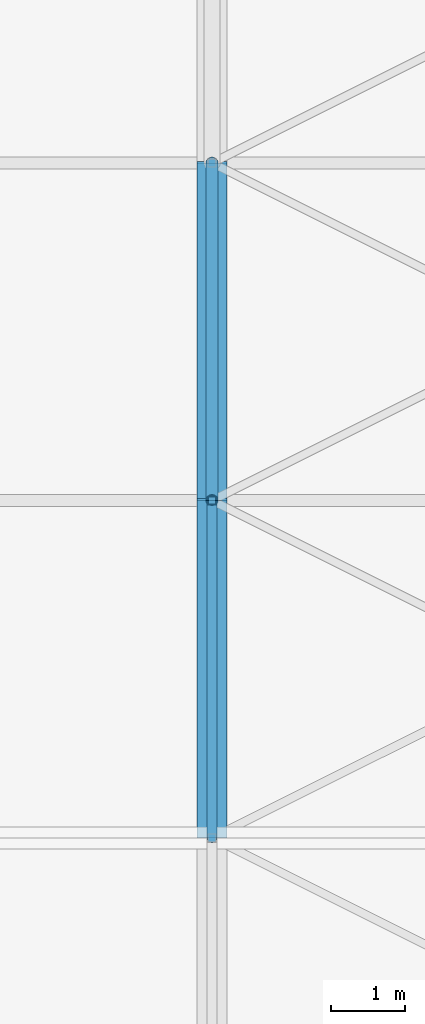
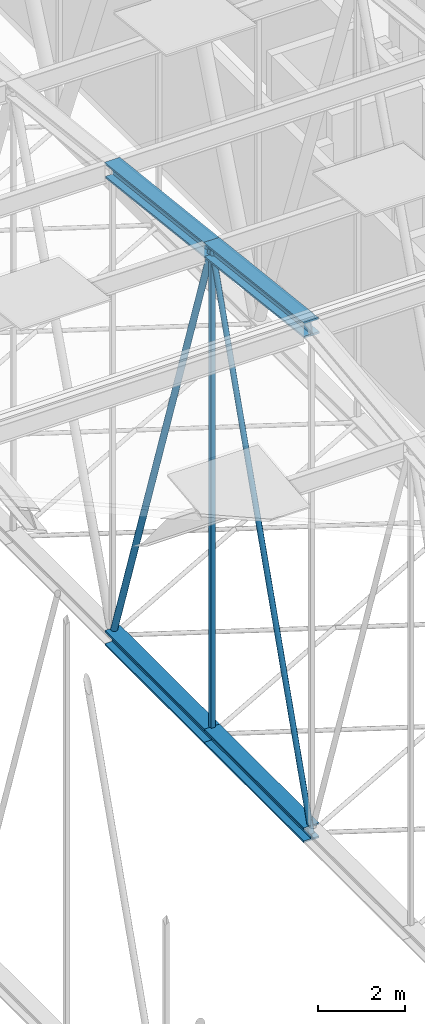
# One storey, part 271 of 500: 7 members.
"""IFC4 building model written with IfcOpenShell, lengths in metres."""

from ifc_helpers import new_model, si_unit, direction, frame, origin, origin_2d, place, context, subcontext, project, spatial, hollow_rectangle, hollow_circle, i_section, extrude, material, material_profile, profile_set, type_object, element, save


model = new_model("IFC4")

# Units and contexts
model_context = context("Model", 3, precision=1e-05, world=origin(), true_north=direction((0.0, 1.0)))
body_context = subcontext(model_context, "Body", "Model", "MODEL_VIEW")
ifc_project = project(units=[si_unit("LENGTHUNIT", "METRE"), si_unit("AREAUNIT", "SQUARE_METRE"), si_unit("VOLUMEUNIT", "CUBIC_METRE"), si_unit("PLANEANGLEUNIT", "RADIAN"), si_unit("MASSUNIT", "GRAM", prefix="KILO")], contexts=[model_context])

# Site, building, storey
site_placement = place(None, origin())
site = spatial("IfcSite", under=ifc_project, at=site_placement, CompositionType="ELEMENT")
building_placement = place(site_placement, origin())
building = spatial("IfcBuilding", under=site, at=building_placement, Name="Shirokan Park Arena", CompositionType="ELEMENT")
storey_placement = place(building_placement, frame((0.0, 0.0, 29.1201171875)))
storey = spatial("IfcBuildingStorey", under=building, at=storey_placement, Name="L06", CompositionType="ELEMENT", Elevation=29.1201171875)

# Members
ifc_material_1 = material(Name="Steel ASTM A992", Category="steel")
ifc_material_profile_1 = material_profile(ifc_material_1, i_section(OverallWidth=0.406005859375, OverallDepth=0.4169921875, WebThickness=0.030029296875, FlangeThickness=0.048095703125, at=origin_2d()), Name="W360X382")
ifc_profile_set_1 = profile_set([ifc_material_profile_1], Name="Steel ASTM A992")
member_type_1 = type_object("IfcMemberType", Name="Bottom chord W360X382", PredefinedType="CHORD", material=ifc_profile_set_1)
member_1_placement = place(storey_placement, frame((91.0, 54.60009765625, 4.677001953125), z_axis=(0.0, 1.0, 0.0), x_axis=(-1.0, 0.0, 0.0)))
element("IfcMember", 1, at=member_1_placement, inside=storey, type_object=member_type_1, Name="Truss T11 bottom chord 15", PredefinedType="CHORD", context=body_context, shape_type="SweptSolid", body=[
    extrude(i_section(OverallWidth=0.406005859375, OverallDepth=0.4169921875, WebThickness=0.030029296875, FlangeThickness=0.048095703125, at=origin_2d()), origin(), (0.0, 0.0, 1.0), 4.5498046875),
])
member_2_placement = place(storey_placement, frame((91.0, 59.14990234375, 4.677001953125), z_axis=(0.0, 1.0, 0.0), x_axis=(-1.0, 0.0, 0.0)))
element("IfcMember", 2, at=member_2_placement, inside=storey, type_object=member_type_1, Name="Truss T11 bottom chord 16", PredefinedType="CHORD", context=body_context, shape_type="SweptSolid", body=[
    extrude(i_section(OverallWidth=0.406005859375, OverallDepth=0.4169921875, WebThickness=0.030029296875, FlangeThickness=0.048095703125, at=origin_2d()), origin(), (0.0, 0.0, 1.0), 4.550048828125),
])
ifc_material_profile_2 = material_profile(ifc_material_1, i_section(OverallWidth=0.406005859375, OverallDepth=0.4169921875, WebThickness=0.030029296875, FlangeThickness=0.048095703125, at=origin_2d()), Name="W360X382")
ifc_profile_set_2 = profile_set([ifc_material_profile_2], Name="Steel ASTM A992")
member_type_2 = type_object("IfcMemberType", Name="Top chord W360X382", PredefinedType="CHORD", material=ifc_profile_set_2)
member_3_placement = place(storey_placement, frame((91.0, 54.60009765625, 18.781494140625), z_axis=(0.0, 0.993531641592, -0.11355561261), x_axis=(-1.0, 0.0, 0.0)))
element("IfcMember", 3, at=member_3_placement, inside=storey, type_object=member_type_2, Name="Truss T11 top chord 15", PredefinedType="CHORD", context=body_context, shape_type="SweptSolid", body=[
    extrude(i_section(OverallWidth=0.406005859375, OverallDepth=0.4169921875, WebThickness=0.030029296875, FlangeThickness=0.048095703125, at=origin_2d()), origin(), (0.0, 0.0, 1.0), 4.579345703125),
])
member_4_placement = place(storey_placement, frame((91.0, 59.14990234375, 18.261474609375), z_axis=(0.0, 0.993532328996, -0.113549598152), x_axis=(-1.0, 0.0, 0.0)))
element("IfcMember", 4, at=member_4_placement, inside=storey, type_object=member_type_2, Name="Truss T11 top chord 16", PredefinedType="CHORD", context=body_context, shape_type="SweptSolid", body=[
    extrude(i_section(OverallWidth=0.406005859375, OverallDepth=0.4169921875, WebThickness=0.030029296875, FlangeThickness=0.048095703125, at=origin_2d()), origin(), (0.0, 0.0, 1.0), 4.57958984375),
])
ifc_material_2 = material(Name="Steel ASTM A500 Grade C", Category="steel")
ifc_material_profile_3 = material_profile(ifc_material_2, hollow_circle(Radius=0.070556640625, WallThickness=0.006591796875, at=origin_2d()), Name="HSS141.3X6.6")
ifc_profile_set_3 = profile_set([ifc_material_profile_3], Name="Steel ASTM A500 Grade C")
member_type_3 = type_object("IfcMemberType", Name="Truss diagonal HSS141.3X6.6", PredefinedType="BRACE", material=ifc_profile_set_3)
member_5_placement = place(storey_placement, frame((91.0, 54.60009765625, 4.677001953125), z_axis=(0.0, 0.317587361237, 0.948229016632), x_axis=(-1.0, 0.0, 0.0)))
element("IfcMember", 5, at=member_5_placement, inside=storey, type_object=member_type_3, Name="Truss T11 diagonal 15", PredefinedType="BRACE", context=body_context, shape_type="SweptSolid", body=[
    extrude(hollow_circle(Radius=0.070556640625, WallThickness=0.006591796875, at=origin_2d()), origin(), (0.0, 0.0, 1.0), 14.326171875),
])
ifc_material_profile_4 = material_profile(ifc_material_2, hollow_circle(Radius=0.083984375, WallThickness=0.009521484375, at=origin_2d()), Name="HSS168.3X9.5")
ifc_profile_set_4 = profile_set([ifc_material_profile_4], Name="Steel ASTM A500 Grade C")
member_type_4 = type_object("IfcMemberType", Name="Truss diagonal HSS168.3X9.5", PredefinedType="BRACE", material=ifc_profile_set_4)
member_6_placement = place(storey_placement, frame((91.0, 59.14990234375, 18.261474609375), z_axis=(0.0, 0.317602683872, -0.948223884532), x_axis=(-1.0, 0.0, 0.0)))
element("IfcMember", 6, at=member_6_placement, inside=storey, type_object=member_type_4, Name="Truss T11 diagonal 16", PredefinedType="BRACE", context=body_context, shape_type="SweptSolid", body=[
    extrude(hollow_circle(Radius=0.083984375, WallThickness=0.009521484375, at=origin_2d()), origin(), (0.0, 0.0, 1.0), 14.326171875),
])
ifc_material_profile_5 = material_profile(ifc_material_2, hollow_rectangle(XDim=0.114013671875, YDim=0.114013671875, WallThickness=0.00634765625, at=origin_2d()), Name="HSS114.3X114.3X6.4")
ifc_profile_set_5 = profile_set([ifc_material_profile_5], Name="Steel ASTM A500 Grade C")
member_type_5 = type_object("IfcMemberType", Name="Truss post HSS114.3X114.3X6.4", PredefinedType="POST", material=ifc_profile_set_5)
member_7_placement = place(storey_placement, frame((91.0, 59.14990234375, 4.677001953125), z_axis=(0.0, 0.0, 1.0), x_axis=(1.0, 0.0, 0.0)))
element("IfcMember", 7, at=member_7_placement, inside=storey, type_object=member_type_5, Name="Truss T11 post 16", PredefinedType="POST", context=body_context, shape_type="SweptSolid", body=[
    extrude(hollow_rectangle(XDim=0.114013671875, YDim=0.114013671875, WallThickness=0.00634765625, at=origin_2d()), origin(), (0.0, 0.0, 1.0), 13.58447265625),
])

save(model, "model.ifc")
